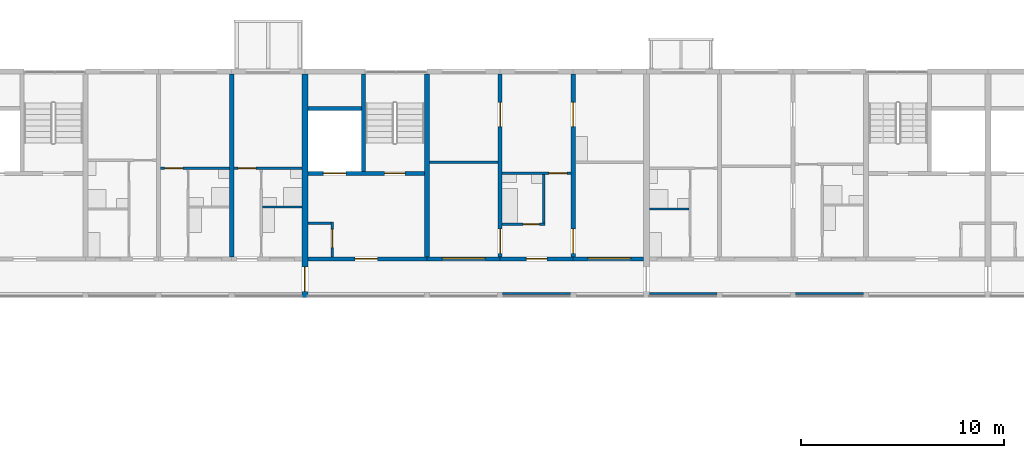
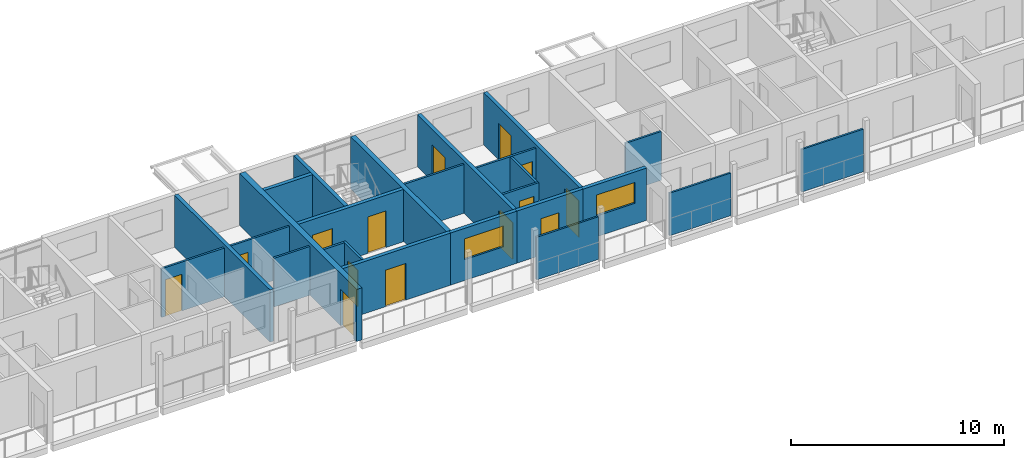
# One storey, part 37 of 100: 25 walls, 14 doors, 2 windows, 16 openings.
"""IFC4 building model written with IfcOpenShell, lengths in metres."""

from ifc_helpers import new_model, si_unit, direction, frame, frame_2d, origin, place, context, subcontext, project, spatial, rectangle, extrude, material, layer, layer_set, type_object, element, fill, save


model = new_model("IFC4")

# Units and contexts
model_context = context("Model", 3, precision=1e-05, world=origin(), true_north=direction((0.0, 1.0)))
body_context = subcontext(model_context, "Body", "Model", "MODEL_VIEW")
ifc_project = project(units=[si_unit("LENGTHUNIT", "METRE"), si_unit("AREAUNIT", "SQUARE_METRE"), si_unit("VOLUMEUNIT", "CUBIC_METRE"), si_unit("PLANEANGLEUNIT", "RADIAN"), si_unit("MASSUNIT", "GRAM", prefix="KILO")], contexts=[model_context])

# Site, building, storey
site_placement = place(None, origin())
site = spatial("IfcSite", under=ifc_project, at=site_placement, CompositionType="ELEMENT")
building_placement = place(site_placement, origin())
building = spatial("IfcBuilding", under=site, at=building_placement, Name="Ridgestep Commons", CompositionType="ELEMENT")
storey_placement = place(building_placement, frame((0.0, 0.0, 9.0)))
storey = spatial("IfcBuildingStorey", under=building, at=storey_placement, Name="L03", CompositionType="ELEMENT", Elevation=9.0)

# Wall
ifc_material_1 = material(Name="Concrete C30/37", Category="concrete")
ifc_layer_1 = layer(ifc_material_1, 0.25)
ifc_layer_set_1 = layer_set([ifc_layer_1], Name="Core cross wall 250")
wall_type_1 = type_object("IfcWallType", Name="Core cross wall 250", PredefinedType="SHEAR", material=ifc_layer_set_1)
wall_1_placement = place(storey_placement, frame((51.60009765625, 68.0, 0.0), z_axis=(0.0, 0.0, 1.0), x_axis=(0.0, 1.0, 0.0)))
element("IfcWall", 1, at=wall_1_placement, inside=storey, type_object=wall_type_1, Name="Cross wall B-03-0516", PredefinedType="SHEAR", context=body_context, shape_type="SweptSolid", body=[
    extrude(rectangle(XDim=9.0, YDim=0.25, at=frame_2d((4.5, 0.0))), origin(), (0.0, 0.0, 1.0), 3.0),
])

# Wall, opening, door
ifc_material_2 = material(Name="Concrete C30/37", Category="concrete")
ifc_layer_2 = layer(ifc_material_2, 0.199951171875)
ifc_layer_set_2 = layer_set([ifc_layer_2], Name="Core south wall 200")
wall_type_2 = type_object("IfcWallType", Name="Core south wall 200", PredefinedType="SHEAR", material=ifc_layer_set_2)
wall_2_placement = place(storey_placement, frame((45.75, 67.89990234375, 0.0), z_axis=(0.0, 0.0, 1.0), x_axis=(1.0, 0.0, 0.0)))
wall_2 = element("IfcWall", 2, at=wall_2_placement, inside=storey, type_object=wall_type_2, Name="Core south wall B3C L03", PredefinedType="SHEAR", context=body_context, shape_type="SweptSolid", body=[
    extrude(rectangle(XDim=5.85009765625, YDim=0.199951171875, at=frame_2d((2.925048828125, 0.0))), origin(), (0.0, 0.0, 1.0), 3.0),
])
opening_1_placement = place(wall_2_placement, frame((2.3125, 0.0, 0.0)))
opening_1 = element("IfcOpeningElement", 3, at=opening_1_placement, cuts=wall_2, Name="Opening B3C/03/1", PredefinedType="OPENING", context=body_context, shape_type="SweptSolid", body=[
    extrude(rectangle(XDim=1.10009765625, YDim=2.10009765625, at=frame_2d((0.550048828125, 1.050048828125))), frame((0.0, 0.10986328125, 0.0), z_axis=(0.0, -1.0, 0.0), x_axis=(1.0, 0.0, 0.0)), (0.0, 0.0, 1.0), 0.219970703125),
])
ifc_material_3 = material(Name="Steel fire door", Category="steel")
door_type_1 = type_object("IfcDoorType", Name="Lobby door 1100 x 2100 FD60", OperationType="NOTDEFINED", PredefinedType="DOOR", material=ifc_material_3)
door_1_placement = place(opening_1_placement, origin())
door_1 = element("IfcDoor", 4, at=door_1_placement, inside=storey, type_object=door_type_1, Name="Lobby door B3C/03/1", OperationType="SINGLE_SWING_LEFT", OverallHeight=2.10009765625, OverallWidth=1.10009765625, PredefinedType="DOOR", context=body_context, shape_type="SweptSolid", body=[
    extrude(rectangle(XDim=1.10009765625, YDim=2.10009765625, at=frame_2d((0.550048828125, 1.050048828125))), frame((0.0, 0.02490234375, 0.0), z_axis=(0.0, -1.0, 0.0), x_axis=(1.0, 0.0, 0.0)), (0.0, 0.0, 1.0), 0.050048828125),
])
fill(opening_1, door_1)

ifc_material_4 = material(Name="Concrete C30/37", Category="concrete")
ifc_layer_3 = layer(ifc_material_4, 0.1201171875)
ifc_layer_set_3 = layer_set([ifc_layer_3], Name="Core wall 120")
wall_type_3 = type_object("IfcWallType", Name="Core wall 120", PredefinedType="SHEAR", material=ifc_layer_set_3)
wall_3_placement = place(storey_placement, frame((46.93994140625, 68.0, 0.0), z_axis=(0.0, 0.0, 1.0), x_axis=(0.0, 1.0, 0.0)))
wall_3 = element("IfcWall", 5, at=wall_3_placement, inside=storey, type_object=wall_type_3, Name="Core riser w wall B3C L03", PredefinedType="SHEAR", context=body_context, shape_type="SweptSolid", body=[
    extrude(rectangle(XDim=1.719970703125, YDim=0.1201171875, at=frame_2d((0.85986328125, 0.0))), origin(), (0.0, 0.0, 1.0), 3.0),
])
opening_2_placement = place(wall_3_placement, frame((0.449951171875, 0.0, 0.0)))
opening_2 = element("IfcOpeningElement", 6, at=opening_2_placement, cuts=wall_3, Name="Opening B3C/03/4", PredefinedType="OPENING", context=body_context, shape_type="SweptSolid", body=[
    extrude(rectangle(XDim=0.89990234375, YDim=2.10009765625, at=frame_2d((0.449951171875, 1.050048828125))), frame((0.0, 0.070068359375, 0.0), z_axis=(0.0, -1.0, 0.0), x_axis=(1.0, 0.0, 0.0)), (0.0, 0.0, 1.0), 0.14013671875),
])
ifc_material_5 = material(Name="Steel fire door", Category="steel")
door_type_2 = type_object("IfcDoorType", Name="Riser door 900 x 2100 FD60", OperationType="NOTDEFINED", PredefinedType="DOOR", material=ifc_material_5)
door_2_placement = place(opening_2_placement, origin())
door_2 = element("IfcDoor", 7, at=door_2_placement, inside=storey, type_object=door_type_2, Name="Riser door B3C/03/4", OperationType="SINGLE_SWING_RIGHT", OverallHeight=2.10009765625, OverallWidth=0.89990234375, PredefinedType="DOOR", context=body_context, shape_type="SweptSolid", body=[
    extrude(rectangle(XDim=0.89990234375, YDim=2.10009765625, at=frame_2d((0.449951171875, 1.050048828125))), frame((0.0, 0.02490234375, 0.0), z_axis=(0.0, -1.0, 0.0), x_axis=(1.0, 0.0, 0.0)), (0.0, 0.0, 1.0), 0.050048828125),
])
fill(opening_2, door_2)

# Wall
wall_4_placement = place(storey_placement, frame((45.75, 69.659912109375, 0.0), z_axis=(0.0, 0.0, 1.0), x_axis=(1.0, 0.0, 0.0)))
element("IfcWall", 8, at=wall_4_placement, inside=storey, type_object=wall_type_3, Name="Core riser n wall B3C L03", PredefinedType="SHEAR", context=body_context, shape_type="SweptSolid", body=[
    extrude(rectangle(XDim=1.1298828125, YDim=0.1201171875, at=frame_2d((0.56494140625, 0.0))), origin(), (0.0, 0.0, 1.0), 3.0),
])

# Wall, openings, doors
ifc_material_6 = material(Name="Concrete C30/37", Category="concrete")
ifc_layer_4 = layer(ifc_material_6, 0.199951171875)
ifc_layer_set_4 = layer_set([ifc_layer_4], Name="Core wall 200")
wall_type_4 = type_object("IfcWallType", Name="Core wall 200", PredefinedType="SHEAR", material=ifc_layer_set_4)
wall_5_placement = place(storey_placement, frame((45.75, 72.10009765625, 0.0), z_axis=(0.0, 0.0, 1.0), x_axis=(1.0, 0.0, 0.0)))
wall_5 = element("IfcWall", 9, at=wall_5_placement, inside=storey, type_object=wall_type_4, Name="Core lobby wall B3C L03", PredefinedType="SHEAR", context=body_context, shape_type="SweptSolid", body=[
    extrude(rectangle(XDim=5.72509765625, YDim=0.199951171875, at=frame_2d((2.862548828125, 0.0))), origin(), (0.0, 0.0, 1.0), 3.0),
])
opening_3_placement = place(wall_5_placement, frame((3.77490234375, 0.0, 0.0)))
opening_3 = element("IfcOpeningElement", 10, at=opening_3_placement, cuts=wall_5, Name="Opening B3C/03/2", PredefinedType="OPENING", context=body_context, shape_type="SweptSolid", body=[
    extrude(rectangle(XDim=1.0, YDim=2.10009765625, at=frame_2d((0.5, 1.050048828125))), frame((0.0, 0.10986328125, 0.0), z_axis=(0.0, -1.0, 0.0), x_axis=(1.0, 0.0, 0.0)), (0.0, 0.0, 1.0), 0.219970703125),
])
opening_4_placement = place(wall_5_placement, frame((0.762451171875, 0.0, 0.0)))
opening_4 = element("IfcOpeningElement", 11, at=opening_4_placement, cuts=wall_5, Name="Opening B3C/03/3", PredefinedType="OPENING", context=body_context, shape_type="SweptSolid", body=[
    extrude(rectangle(XDim=1.10009765625, YDim=2.10009765625, at=frame_2d((0.550048828125, 1.050048828125))), frame((0.0, 0.10986328125, 0.0), z_axis=(0.0, -1.0, 0.0), x_axis=(1.0, 0.0, 0.0)), (0.0, 0.0, 1.0), 0.219970703125),
])
ifc_material_7 = material(Name="Stainless steel", Category="steel")
door_type_3 = type_object("IfcDoorType", Name="Lift landing door 1100 x 2100 FD60", OperationType="DOUBLE_DOOR_SLIDING", PredefinedType="DOOR", material=ifc_material_7)
door_3_placement = place(opening_4_placement, origin())
door_3 = element("IfcDoor", 12, at=door_3_placement, inside=storey, type_object=door_type_3, Name="Landing door LD B3C L03", OperationType="DOUBLE_DOOR_SLIDING", OverallHeight=2.10009765625, OverallWidth=1.10009765625, PredefinedType="DOOR", context=body_context, shape_type="SweptSolid", body=[
    extrude(rectangle(XDim=1.10009765625, YDim=2.10009765625, at=frame_2d((0.550048828125, 1.050048828125))), frame((0.0, 0.02490234375, 0.0), z_axis=(0.0, -1.0, 0.0), x_axis=(1.0, 0.0, 0.0)), (0.0, 0.0, 1.0), 0.050048828125),
])
fill(opening_4, door_3)
ifc_material_8 = material(Name="Steel fire door", Category="steel")
door_type_4 = type_object("IfcDoorType", Name="Stair door 1000 x 2100 FD60", OperationType="NOTDEFINED", PredefinedType="DOOR", material=ifc_material_8)
door_4_placement = place(opening_3_placement, origin())
door_4 = element("IfcDoor", 13, at=door_4_placement, inside=storey, type_object=door_type_4, Name="Stair door B3C/03/2", OperationType="SINGLE_SWING_RIGHT", OverallHeight=2.10009765625, OverallWidth=1.0, PredefinedType="DOOR", context=body_context, shape_type="SweptSolid", body=[
    extrude(rectangle(XDim=1.0, YDim=2.10009765625, at=frame_2d((0.5, 1.050048828125))), frame((0.0, 0.02490234375, 0.0), z_axis=(0.0, -1.0, 0.0), x_axis=(1.0, 0.0, 0.0)), (0.0, 0.0, 1.0), 0.050048828125),
])
fill(opening_3, door_4)

# Walls
wall_6_placement = place(storey_placement, frame((48.47509765625, 72.199951171875, 0.0), z_axis=(0.0, 0.0, 1.0), x_axis=(0.0, 1.0, 0.0)))
element("IfcWall", 14, at=wall_6_placement, inside=storey, type_object=wall_type_4, Name="Core stair wall B3C L03", PredefinedType="SHEAR", context=body_context, shape_type="SweptSolid", body=[
    extrude(rectangle(XDim=4.800048828125, YDim=0.199951171875, at=frame_2d((2.39990234375, 0.0))), origin(), (0.0, 0.0, 1.0), 3.0),
])
wall_7_placement = place(storey_placement, frame((45.75, 75.300048828125, 0.0), z_axis=(0.0, 0.0, 1.0), x_axis=(1.0, 0.0, 0.0)))
element("IfcWall", 15, at=wall_7_placement, inside=storey, type_object=wall_type_4, Name="Core duct wall B3C L03", PredefinedType="SHEAR", context=body_context, shape_type="SweptSolid", body=[
    extrude(rectangle(XDim=2.625, YDim=0.199951171875, at=frame_2d((1.3125, 0.0))), origin(), (0.0, 0.0, 1.0), 3.0),
])
ifc_material_9 = material(Name="Precast concrete C40/50", Category="concrete")
ifc_layer_5 = layer(ifc_material_9, 0.199951171875)
ifc_layer_set_5 = layer_set([ifc_layer_5], Name="Cross wall 200")
wall_type_5 = type_object("IfcWallType", Name="Cross wall 200", PredefinedType="SHEAR", material=ifc_layer_set_5)
wall_8_placement = place(storey_placement, frame((42.0, 68.0, 0.0), z_axis=(0.0, 0.0, 1.0), x_axis=(0.0, 1.0, 0.0)))
element("IfcWall", 16, at=wall_8_placement, inside=storey, type_object=wall_type_5, Name="Cross wall B-03-0420", PredefinedType="SHEAR", context=body_context, shape_type="SweptSolid", body=[
    extrude(rectangle(XDim=9.0, YDim=0.199951171875, at=frame_2d((4.5, 0.0))), origin(), (0.0, 0.0, 1.0), 3.0),
])

# Wall, openings, doors
wall_9_placement = place(storey_placement, frame((55.199951171875, 68.0, 0.0), z_axis=(0.0, 0.0, 1.0), x_axis=(0.0, 1.0, 0.0)))
wall_9 = element("IfcWall", 17, at=wall_9_placement, inside=storey, type_object=wall_type_5, Name="Cross wall B-03-0552", PredefinedType="SHEAR", context=body_context, shape_type="SweptSolid", body=[
    extrude(rectangle(XDim=9.0, YDim=0.199951171875, at=frame_2d((4.5, 0.0))), origin(), (0.0, 0.0, 1.0), 3.0),
])
opening_5_placement = place(wall_9_placement, frame((0.175048828125, 0.0, 0.0)))
opening_5 = element("IfcOpeningElement", 18, at=opening_5_placement, cuts=wall_9, Name="Opening B3-03a/4", PredefinedType="OPENING", context=body_context, shape_type="SweptSolid", body=[
    extrude(rectangle(XDim=1.199951171875, YDim=2.10009765625, at=frame_2d((0.60009765625, 1.050048828125))), frame((0.0, 0.10986328125, 0.0), z_axis=(0.0, -1.0, 0.0), x_axis=(1.0, 0.0, 0.0)), (0.0, 0.0, 1.0), 0.219970703125),
])
opening_6_placement = place(wall_9_placement, frame((6.39990234375, 0.0, 0.0)))
opening_6 = element("IfcOpeningElement", 19, at=opening_6_placement, cuts=wall_9, Name="Opening B3-03a/5", PredefinedType="OPENING", context=body_context, shape_type="SweptSolid", body=[
    extrude(rectangle(XDim=1.199951171875, YDim=2.10009765625, at=frame_2d((0.60009765625, 1.050048828125))), frame((0.0, 0.10986328125, 0.0), z_axis=(0.0, -1.0, 0.0), x_axis=(1.0, 0.0, 0.0)), (0.0, 0.0, 1.0), 0.219970703125),
])
ifc_material_10 = material(Name="Timber door leaf", Category="wood")
door_type_5 = type_object("IfcDoorType", Name="Double door 1200 x 2100", OperationType="DOUBLE_DOOR_SINGLE_SWING", PredefinedType="DOOR", material=ifc_material_10)
door_5_placement = place(opening_5_placement, origin())
door_5 = element("IfcDoor", 20, at=door_5_placement, inside=storey, type_object=door_type_5, Name="Double door B3-03a/4", OperationType="DOUBLE_DOOR_SINGLE_SWING", OverallHeight=2.10009765625, OverallWidth=1.199951171875, PredefinedType="DOOR", context=body_context, shape_type="SweptSolid", body=[
    extrude(rectangle(XDim=1.199951171875, YDim=2.10009765625, at=frame_2d((0.60009765625, 1.050048828125))), frame((0.0, 0.02490234375, 0.0), z_axis=(0.0, -1.0, 0.0), x_axis=(1.0, 0.0, 0.0)), (0.0, 0.0, 1.0), 0.050048828125),
])
fill(opening_5, door_5)
door_6_placement = place(opening_6_placement, origin())
door_6 = element("IfcDoor", 21, at=door_6_placement, inside=storey, type_object=door_type_5, Name="Double door B3-03a/5", OperationType="DOUBLE_DOOR_SINGLE_SWING", OverallHeight=2.10009765625, OverallWidth=1.199951171875, PredefinedType="DOOR", context=body_context, shape_type="SweptSolid", body=[
    extrude(rectangle(XDim=1.199951171875, YDim=2.10009765625, at=frame_2d((0.60009765625, 1.050048828125))), frame((0.0, 0.02490234375, 0.0), z_axis=(0.0, -1.0, 0.0), x_axis=(1.0, 0.0, 0.0)), (0.0, 0.0, 1.0), 0.050048828125),
])
fill(opening_6, door_6)

wall_10_placement = place(storey_placement, frame((58.800048828125, 68.0, 0.0), z_axis=(0.0, 0.0, 1.0), x_axis=(0.0, 1.0, 0.0)))
wall_10 = element("IfcWall", 22, at=wall_10_placement, inside=storey, type_object=wall_type_5, Name="Cross wall B-03-0588", PredefinedType="SHEAR", context=body_context, shape_type="SweptSolid", body=[
    extrude(rectangle(XDim=9.0, YDim=0.199951171875, at=frame_2d((4.5, 0.0))), origin(), (0.0, 0.0, 1.0), 3.0),
])
opening_7_placement = place(wall_10_placement, frame((0.175048828125, 0.0, 0.0)))
opening_7 = element("IfcOpeningElement", 23, at=opening_7_placement, cuts=wall_10, Name="Opening B3-03a/6", PredefinedType="OPENING", context=body_context, shape_type="SweptSolid", body=[
    extrude(rectangle(XDim=1.199951171875, YDim=2.10009765625, at=frame_2d((0.60009765625, 1.050048828125))), frame((0.0, 0.10986328125, 0.0), z_axis=(0.0, -1.0, 0.0), x_axis=(1.0, 0.0, 0.0)), (0.0, 0.0, 1.0), 0.219970703125),
])
opening_8_placement = place(wall_10_placement, frame((6.39990234375, 0.0, 0.0)))
opening_8 = element("IfcOpeningElement", 24, at=opening_8_placement, cuts=wall_10, Name="Opening B3-03a/7", PredefinedType="OPENING", context=body_context, shape_type="SweptSolid", body=[
    extrude(rectangle(XDim=1.199951171875, YDim=2.10009765625, at=frame_2d((0.60009765625, 1.050048828125))), frame((0.0, 0.10986328125, 0.0), z_axis=(0.0, -1.0, 0.0), x_axis=(1.0, 0.0, 0.0)), (0.0, 0.0, 1.0), 0.219970703125),
])
door_7_placement = place(opening_7_placement, origin())
door_7 = element("IfcDoor", 25, at=door_7_placement, inside=storey, type_object=door_type_5, Name="Double door B3-03a/6", OperationType="DOUBLE_DOOR_SINGLE_SWING", OverallHeight=2.10009765625, OverallWidth=1.199951171875, PredefinedType="DOOR", context=body_context, shape_type="SweptSolid", body=[
    extrude(rectangle(XDim=1.199951171875, YDim=2.10009765625, at=frame_2d((0.60009765625, 1.050048828125))), frame((0.0, 0.02490234375, 0.0), z_axis=(0.0, -1.0, 0.0), x_axis=(1.0, 0.0, 0.0)), (0.0, 0.0, 1.0), 0.050048828125),
])
fill(opening_7, door_7)
door_8_placement = place(opening_8_placement, origin())
door_8 = element("IfcDoor", 26, at=door_8_placement, inside=storey, type_object=door_type_5, Name="Double door B3-03a/7", OperationType="DOUBLE_DOOR_SINGLE_SWING", OverallHeight=2.10009765625, OverallWidth=1.199951171875, PredefinedType="DOOR", context=body_context, shape_type="SweptSolid", body=[
    extrude(rectangle(XDim=1.199951171875, YDim=2.10009765625, at=frame_2d((0.60009765625, 1.050048828125))), frame((0.0, 0.02490234375, 0.0), z_axis=(0.0, -1.0, 0.0), x_axis=(1.0, 0.0, 0.0)), (0.0, 0.0, 1.0), 0.050048828125),
])
fill(opening_8, door_8)

# Wall, opening, door
ifc_material_11 = material(Name="Precast concrete C40/50", Category="concrete")
ifc_layer_6 = layer(ifc_material_11, 0.300048828125)
ifc_layer_set_6 = layer_set([ifc_layer_6], Name="Division wall 300")
wall_type_6 = type_object("IfcWallType", Name="Division wall 300", PredefinedType="SHEAR", material=ifc_layer_set_6)
wall_11_placement = place(storey_placement, frame((45.60009765625, 66.0, 0.0), z_axis=(0.0, 0.0, 1.0), x_axis=(0.0, 1.0, 0.0)))
wall_11 = element("IfcWall", 27, at=wall_11_placement, inside=storey, type_object=wall_type_6, Name="Cross wall B-03-0456", PredefinedType="SHEAR", context=body_context, shape_type="SweptSolid", body=[
    extrude(rectangle(XDim=11.0, YDim=0.300048828125, at=frame_2d((5.5, 0.0))), origin(), (0.0, 0.0, 1.0), 3.0),
])
opening_9_placement = place(wall_11_placement, frame((0.300048828125, 0.0, 0.0)))
opening_9 = element("IfcOpeningElement", 28, at=opening_9_placement, cuts=wall_11, Name="Opening B/03/G0456", PredefinedType="OPENING", context=body_context, shape_type="SweptSolid", body=[
    extrude(rectangle(XDim=1.199951171875, YDim=2.10009765625, at=frame_2d((0.60009765625, 1.050048828125))), frame((0.0, 0.159912109375, 0.0), z_axis=(0.0, -1.0, 0.0), x_axis=(1.0, 0.0, 0.0)), (0.0, 0.0, 1.0), 0.320068359375),
])
ifc_material_12 = material(Name="Steel fire door", Category="steel")
door_type_6 = type_object("IfcDoorType", Name="Division fire door 1200 x 2100 EI 240", OperationType="DOUBLE_DOOR_SINGLE_SWING", PredefinedType="DOOR", material=ifc_material_12)
door_9_placement = place(opening_9_placement, origin())
door_9 = element("IfcDoor", 29, at=door_9_placement, inside=storey, type_object=door_type_6, Name="Division fire door B/03/G0456", OperationType="DOUBLE_DOOR_SINGLE_SWING", OverallHeight=2.10009765625, OverallWidth=1.199951171875, PredefinedType="DOOR", context=body_context, shape_type="SweptSolid", body=[
    extrude(rectangle(XDim=1.199951171875, YDim=2.10009765625, at=frame_2d((0.60009765625, 1.050048828125))), frame((0.0, 0.02490234375, 0.0), z_axis=(0.0, -1.0, 0.0), x_axis=(1.0, 0.0, 0.0)), (0.0, 0.0, 1.0), 0.050048828125),
])
fill(opening_9, door_9)

# Wall
ifc_material_13 = material(Name="Common brick 110 mm", Category="masonry")
ifc_layer_7 = layer(ifc_material_13, 0.110107421875)
ifc_layer_set_7 = layer_set([ifc_layer_7], Name="Partition 110")
wall_type_7 = type_object("IfcWallType", Name="Partition 110", PredefinedType="PARTITIONING", material=ifc_layer_set_7)
wall_12_placement = place(storey_placement, frame((43.510009765625, 70.455078125, 0.0), z_axis=(0.0, 0.0, 1.0), x_axis=(1.0, 0.0, 0.0)))
element("IfcWall", 30, at=wall_12_placement, inside=storey, type_object=wall_type_7, Name="Partition B2-03a", PredefinedType="PARTITIONING", context=body_context, shape_type="SweptSolid", body=[
    extrude(rectangle(XDim=1.93994140625, YDim=0.110107421875, at=frame_2d((0.969970703125, 0.0))), origin(), (0.0, 0.0, 1.0), 2.800048828125),
])

# Wall, opening, door
wall_13_placement = place(storey_placement, frame((42.10009765625, 72.35498046875, 0.0), z_axis=(0.0, 0.0, 1.0), x_axis=(1.0, 0.0, 0.0)))
wall_13 = element("IfcWall", 31, at=wall_13_placement, inside=storey, type_object=wall_type_7, Name="Partition B2-03a", PredefinedType="PARTITIONING", context=body_context, shape_type="SweptSolid", body=[
    extrude(rectangle(XDim=3.349853515625, YDim=0.110107421875, at=frame_2d((1.6748046875, 0.0))), origin(), (0.0, 0.0, 1.0), 2.800048828125),
])
opening_10_placement = place(wall_13_placement, frame((0.199951171875, 0.0, 0.0)))
opening_10 = element("IfcOpeningElement", 32, at=opening_10_placement, cuts=wall_13, Name="Opening B2-03a/4", PredefinedType="OPENING", context=body_context, shape_type="SweptSolid", body=[
    extrude(rectangle(XDim=0.89990234375, YDim=2.10009765625, at=frame_2d((0.449951171875, 1.050048828125))), frame((0.0, 0.06494140625, 0.0), z_axis=(0.0, -1.0, 0.0), x_axis=(1.0, 0.0, 0.0)), (0.0, 0.0, 1.0), 0.130126953125),
])
ifc_material_14 = material(Name="Timber door leaf", Category="wood")
door_type_7 = type_object("IfcDoorType", Name="Internal door 900 x 2100", OperationType="NOTDEFINED", PredefinedType="DOOR", material=ifc_material_14)
door_10_placement = place(opening_10_placement, origin())
door_10 = element("IfcDoor", 33, at=door_10_placement, inside=storey, type_object=door_type_7, Name="Internal door B2-03a/4", OperationType="SINGLE_SWING_LEFT", OverallHeight=2.10009765625, OverallWidth=0.89990234375, PredefinedType="DOOR", context=body_context, shape_type="SweptSolid", body=[
    extrude(rectangle(XDim=0.89990234375, YDim=2.10009765625, at=frame_2d((0.449951171875, 1.050048828125))), frame((0.0, 0.02490234375, 0.0), z_axis=(0.0, -1.0, 0.0), x_axis=(1.0, 0.0, 0.0)), (0.0, 0.0, 1.0), 0.050048828125),
])
fill(opening_10, door_10)

wall_14_placement = place(storey_placement, frame((38.5, 72.35498046875, 0.0), z_axis=(0.0, 0.0, 1.0), x_axis=(1.0, 0.0, 0.0)))
wall_14 = element("IfcWall", 34, at=wall_14_placement, inside=storey, type_object=wall_type_7, Name="Partition B2-03b", PredefinedType="PARTITIONING", context=body_context, shape_type="SweptSolid", body=[
    extrude(rectangle(XDim=3.39990234375, YDim=0.110107421875, at=frame_2d((1.699951171875, 0.0))), origin(), (0.0, 0.0, 1.0), 2.800048828125),
])
opening_11_placement = place(wall_14_placement, frame((0.199951171875, 0.0, 0.0)))
opening_11 = element("IfcOpeningElement", 35, at=opening_11_placement, cuts=wall_14, Name="Opening B2-03b/4", PredefinedType="OPENING", context=body_context, shape_type="SweptSolid", body=[
    extrude(rectangle(XDim=0.89990234375, YDim=2.10009765625, at=frame_2d((0.449951171875, 1.050048828125))), frame((0.0, 0.06494140625, 0.0), z_axis=(0.0, -1.0, 0.0), x_axis=(1.0, 0.0, 0.0)), (0.0, 0.0, 1.0), 0.130126953125),
])
door_11_placement = place(opening_11_placement, origin())
door_11 = element("IfcDoor", 36, at=door_11_placement, inside=storey, type_object=door_type_7, Name="Internal door B2-03b/4", OperationType="SINGLE_SWING_LEFT", OverallHeight=2.10009765625, OverallWidth=0.89990234375, PredefinedType="DOOR", context=body_context, shape_type="SweptSolid", body=[
    extrude(rectangle(XDim=0.89990234375, YDim=2.10009765625, at=frame_2d((0.449951171875, 1.050048828125))), frame((0.0, 0.02490234375, 0.0), z_axis=(0.0, -1.0, 0.0), x_axis=(1.0, 0.0, 0.0)), (0.0, 0.0, 1.0), 0.050048828125),
])
fill(opening_11, door_11)

wall_15_placement = place(storey_placement, frame((55.300048828125, 69.60498046875, 0.0), z_axis=(0.0, 0.0, 1.0), x_axis=(1.0, 0.0, 0.0)))
wall_15 = element("IfcWall", 37, at=wall_15_placement, inside=storey, type_object=wall_type_7, Name="Partition B3-03a", PredefinedType="PARTITIONING", context=body_context, shape_type="SweptSolid", body=[
    extrude(rectangle(XDim=2.099853515625, YDim=0.110107421875, at=frame_2d((1.0498046875, 0.0))), origin(), (0.0, 0.0, 1.0), 2.800048828125),
])
opening_12_placement = place(wall_15_placement, frame((1.0400390625, 0.0, 0.0)))
opening_12 = element("IfcOpeningElement", 38, at=opening_12_placement, cuts=wall_15, Name="Opening B3-03a/2", PredefinedType="OPENING", context=body_context, shape_type="SweptSolid", body=[
    extrude(rectangle(XDim=0.800048828125, YDim=2.10009765625, at=frame_2d((0.39990234375, 1.050048828125))), frame((0.0, 0.06494140625, 0.0), z_axis=(0.0, -1.0, 0.0), x_axis=(1.0, 0.0, 0.0)), (0.0, 0.0, 1.0), 0.130126953125),
])
ifc_material_15 = material(Name="Timber door leaf", Category="wood")
door_type_8 = type_object("IfcDoorType", Name="Internal door 800 x 2100", OperationType="NOTDEFINED", PredefinedType="DOOR", material=ifc_material_15)
door_12_placement = place(opening_12_placement, origin())
door_12 = element("IfcDoor", 39, at=door_12_placement, inside=storey, type_object=door_type_8, Name="Internal door B3-03a/2", OperationType="SINGLE_SWING_RIGHT", OverallHeight=2.10009765625, OverallWidth=0.800048828125, PredefinedType="DOOR", context=body_context, shape_type="SweptSolid", body=[
    extrude(rectangle(XDim=0.800048828125, YDim=2.10009765625, at=frame_2d((0.39990234375, 1.050048828125))), frame((0.0, 0.02490234375, 0.0), z_axis=(0.0, -1.0, 0.0), x_axis=(1.0, 0.0, 0.0)), (0.0, 0.0, 1.0), 0.050048828125),
])
fill(opening_12, door_12)

# Wall
wall_16_placement = place(storey_placement, frame((57.344970703125, 69.659912109375, 0.0), z_axis=(0.0, 0.0, 1.0), x_axis=(0.0, 1.0, 0.0)))
element("IfcWall", 40, at=wall_16_placement, inside=storey, type_object=wall_type_7, Name="Partition B3-03a", PredefinedType="PARTITIONING", context=body_context, shape_type="SweptSolid", body=[
    extrude(rectangle(XDim=2.400146484375, YDim=0.110107421875, at=frame_2d((1.2001953125, 0.0))), origin(), (0.0, 0.0, 1.0), 2.800048828125),
])

# Wall, opening, door
wall_17_placement = place(storey_placement, frame((55.300048828125, 72.114990234375, 0.0), z_axis=(0.0, 0.0, 1.0), x_axis=(1.0, 0.0, 0.0)))
wall_17 = element("IfcWall", 41, at=wall_17_placement, inside=storey, type_object=wall_type_7, Name="Partition B3-03a", PredefinedType="PARTITIONING", context=body_context, shape_type="SweptSolid", body=[
    extrude(rectangle(XDim=3.39990234375, YDim=0.110107421875, at=frame_2d((1.699951171875, 0.0))), origin(), (0.0, 0.0, 1.0), 2.800048828125),
])
opening_13_placement = place(wall_17_placement, frame((2.300048828125, 0.0, 0.0)))
opening_13 = element("IfcOpeningElement", 42, at=opening_13_placement, cuts=wall_17, Name="Opening B3-03a/3", PredefinedType="OPENING", context=body_context, shape_type="SweptSolid", body=[
    extrude(rectangle(XDim=0.89990234375, YDim=2.10009765625, at=frame_2d((0.449951171875, 1.050048828125))), frame((0.0, 0.06494140625, 0.0), z_axis=(0.0, -1.0, 0.0), x_axis=(1.0, 0.0, 0.0)), (0.0, 0.0, 1.0), 0.130126953125),
])
door_13_placement = place(opening_13_placement, origin())
door_13 = element("IfcDoor", 43, at=door_13_placement, inside=storey, type_object=door_type_7, Name="Internal door B3-03a/3", OperationType="SINGLE_SWING_LEFT", OverallHeight=2.10009765625, OverallWidth=0.89990234375, PredefinedType="DOOR", context=body_context, shape_type="SweptSolid", body=[
    extrude(rectangle(XDim=0.89990234375, YDim=2.10009765625, at=frame_2d((0.449951171875, 1.050048828125))), frame((0.0, 0.02490234375, 0.0), z_axis=(0.0, -1.0, 0.0), x_axis=(1.0, 0.0, 0.0)), (0.0, 0.0, 1.0), 0.050048828125),
])
fill(opening_13, door_13)

# Walls
wall_18_placement = place(storey_placement, frame((51.72509765625, 72.655029296875, 0.0), z_axis=(0.0, 0.0, 1.0), x_axis=(1.0, 0.0, 0.0)))
element("IfcWall", 44, at=wall_18_placement, inside=storey, type_object=wall_type_7, Name="Partition B3-03a", PredefinedType="PARTITIONING", context=body_context, shape_type="SweptSolid", body=[
    extrude(rectangle(XDim=3.375, YDim=0.110107421875, at=frame_2d((1.6875, 0.0))), origin(), (0.0, 0.0, 1.0), 2.800048828125),
])
wall_19_placement = place(storey_placement, frame((62.550048828125, 70.35498046875, 0.0), z_axis=(0.0, 0.0, 1.0), x_axis=(1.0, 0.0, 0.0)))
element("IfcWall", 45, at=wall_19_placement, inside=storey, type_object=wall_type_7, Name="Partition B4-03a", PredefinedType="PARTITIONING", context=body_context, shape_type="SweptSolid", body=[
    extrude(rectangle(XDim=1.93994140625, YDim=0.110107421875, at=frame_2d((0.969970703125, 0.0))), origin(), (0.0, 0.0, 1.0), 2.800048828125),
])
ifc_material_16 = material(Name="Precast concrete C30/37", Category="concrete")
ifc_layer_8 = layer(ifc_material_16, 0.10009765625)
ifc_layer_set_8 = layer_set([ifc_layer_8], Name="Perforated gallery screen 3325 x 2450 x 100")
wall_type_8 = type_object("IfcWallType", Name="Perforated gallery screen 3325 x 2450 x 100", PredefinedType="SOLIDWALL", material=ifc_layer_set_8)
wall_20_placement = place(storey_placement, frame((62.550048828125, 66.199951171875, 0.0), z_axis=(0.0, 0.0, 1.0), x_axis=(1.0, 0.0, 0.0)))
element("IfcWall", 46, at=wall_20_placement, inside=storey, type_object=wall_type_8, Name="Gallery screen B4T1 03", PredefinedType="SOLIDWALL", context=body_context, shape_type="SweptSolid", body=[
    extrude(rectangle(XDim=3.324951171875, YDim=0.10009765625, at=frame_2d((1.66259765625, 0.0))), origin(), (0.0, 0.0, 1.0), 2.449951171875),
])
ifc_material_17 = material(Name="Precast concrete C30/37", Category="concrete")
ifc_layer_9 = layer(ifc_material_17, 0.10009765625)
ifc_layer_set_9 = layer_set([ifc_layer_9], Name="Perforated gallery screen 3350 x 2450 x 100")
wall_type_9 = type_object("IfcWallType", Name="Perforated gallery screen 3350 x 2450 x 100", PredefinedType="SOLIDWALL", material=ifc_layer_set_9)
wall_21_placement = place(storey_placement, frame((55.324951171875, 66.199951171875, 0.0), z_axis=(0.0, 0.0, 1.0), x_axis=(1.0, 0.0, 0.0)))
element("IfcWall", 47, at=wall_21_placement, inside=storey, type_object=wall_type_9, Name="Gallery screen B3T2 03", PredefinedType="SOLIDWALL", context=body_context, shape_type="SweptSolid", body=[
    extrude(rectangle(XDim=3.35009765625, YDim=0.10009765625, at=frame_2d((1.675048828125, 0.0))), origin(), (0.0, 0.0, 1.0), 2.449951171875),
])
wall_22_placement = place(storey_placement, frame((69.72509765625, 66.199951171875, 0.0), z_axis=(0.0, 0.0, 1.0), x_axis=(1.0, 0.0, 0.0)))
element("IfcWall", 48, at=wall_22_placement, inside=storey, type_object=wall_type_9, Name="Gallery screen B4T3 03", PredefinedType="SOLIDWALL", context=body_context, shape_type="SweptSolid", body=[
    extrude(rectangle(XDim=3.349853515625, YDim=0.10009765625, at=frame_2d((1.6748046875, 0.0))), origin(), (0.0, 0.0, 1.0), 2.449951171875),
])

# Wall, opening, window
ifc_material_18 = material(Name="Precast concrete C40/50", Category="concrete")
ifc_layer_10 = layer(ifc_material_18, 0.199951171875)
ifc_layer_set_10 = layer_set([ifc_layer_10], Name="South facade panel 200")
wall_type_10 = type_object("IfcWallType", Name="South facade panel 200", PredefinedType="SOLIDWALL", material=ifc_layer_set_10)
wall_23_placement = place(storey_placement, frame((51.60009765625, 67.89990234375, 0.0), z_axis=(0.0, 0.0, 1.0), x_axis=(1.0, 0.0, 0.0)))
wall_23 = element("IfcWall", 49, at=wall_23_placement, inside=storey, type_object=wall_type_10, Name="South panel B3T3 L03", PredefinedType="SOLIDWALL", context=body_context, shape_type="SweptSolid", body=[
    extrude(rectangle(XDim=3.599853515625, YDim=0.199951171875, at=frame_2d((1.7998046875, 0.0))), origin(), (0.0, 0.0, 1.0), 3.0),
])
opening_14_placement = place(wall_23_placement, frame((0.762451171875, 0.0, 1.199951171875)))
opening_14 = element("IfcOpeningElement", 50, at=opening_14_placement, cuts=wall_23, Name="Opening W22", PredefinedType="OPENING", context=body_context, shape_type="SweptSolid", body=[
    extrude(rectangle(XDim=2.10009765625, YDim=1.199951171875, at=frame_2d((1.050048828125, 0.60009765625))), frame((0.0, 0.10986328125, 0.0), z_axis=(0.0, -1.0, 0.0), x_axis=(1.0, 0.0, 0.0)), (0.0, 0.0, 1.0), 0.219970703125),
])
ifc_material_19 = material(Name="Aluminium 6063-T6 and glass", Category="aluminium")
window_type = type_object("IfcWindowType", Name="Flat window 2100 x 1200", PartitioningType="DOUBLE_PANEL_VERTICAL", PredefinedType="WINDOW", material=ifc_material_19)
window_1_placement = place(opening_14_placement, origin())
window_1 = element("IfcWindow", 51, at=window_1_placement, inside=storey, type_object=window_type, Name="Window B3-03a 1", OverallHeight=1.199951171875, OverallWidth=2.10009765625, PartitioningType="SINGLE_PANEL", PredefinedType="WINDOW", context=body_context, shape_type="SweptSolid", body=[
    extrude(rectangle(XDim=2.10009765625, YDim=1.199951171875, at=frame_2d((1.050048828125, 0.60009765625))), frame((0.0, 0.06005859375, 0.0), z_axis=(0.0, -1.0, 0.0), x_axis=(1.0, 0.0, 0.0)), (0.0, 0.0, 1.0), 0.06005859375),
])
fill(opening_14, window_1)

# Wall, opening, door
wall_24_placement = place(storey_placement, frame((55.199951171875, 67.89990234375, 0.0), z_axis=(0.0, 0.0, 1.0), x_axis=(1.0, 0.0, 0.0)))
wall_24 = element("IfcWall", 52, at=wall_24_placement, inside=storey, type_object=wall_type_10, Name="South panel B3T2 L03", PredefinedType="SOLIDWALL", context=body_context, shape_type="SweptSolid", body=[
    extrude(rectangle(XDim=3.60009765625, YDim=0.199951171875, at=frame_2d((1.800048828125, 0.0))), origin(), (0.0, 0.0, 1.0), 3.0),
])
opening_15_placement = place(wall_24_placement, frame((1.300048828125, 0.0, 0.0)))
opening_15 = element("IfcOpeningElement", 53, at=opening_15_placement, cuts=wall_24, Name="Opening B3-03a/1", PredefinedType="OPENING", context=body_context, shape_type="SweptSolid", body=[
    extrude(rectangle(XDim=1.0, YDim=2.10009765625, at=frame_2d((0.5, 1.050048828125))), frame((0.0, 0.10986328125, 0.0), z_axis=(0.0, -1.0, 0.0), x_axis=(1.0, 0.0, 0.0)), (0.0, 0.0, 1.0), 0.219970703125),
])
ifc_material_20 = material(Name="Timber door leaf", Category="wood")
door_type_9 = type_object("IfcDoorType", Name="Flat entrance door 1000 x 2100 FD30S", OperationType="NOTDEFINED", PredefinedType="DOOR", material=ifc_material_20)
door_14_placement = place(opening_15_placement, origin())
door_14 = element("IfcDoor", 54, at=door_14_placement, inside=storey, type_object=door_type_9, Name="Flat entrance door B3-03a/1", OperationType="SINGLE_SWING_RIGHT", OverallHeight=2.10009765625, OverallWidth=1.0, PredefinedType="DOOR", context=body_context, shape_type="SweptSolid", body=[
    extrude(rectangle(XDim=1.0, YDim=2.10009765625, at=frame_2d((0.5, 1.050048828125))), frame((0.0, 0.02490234375, 0.0), z_axis=(0.0, -1.0, 0.0), x_axis=(1.0, 0.0, 0.0)), (0.0, 0.0, 1.0), 0.050048828125),
])
fill(opening_15, door_14)

# Wall, opening, window
wall_25_placement = place(storey_placement, frame((58.800048828125, 67.89990234375, 0.0), z_axis=(0.0, 0.0, 1.0), x_axis=(1.0, 0.0, 0.0)))
wall_25 = element("IfcWall", 55, at=wall_25_placement, inside=storey, type_object=wall_type_10, Name="South panel B3T1 L03", PredefinedType="SOLIDWALL", context=body_context, shape_type="SweptSolid", body=[
    extrude(rectangle(XDim=3.449951171875, YDim=0.199951171875, at=frame_2d((1.72509765625, 0.0))), origin(), (0.0, 0.0, 1.0), 3.0),
])
opening_16_placement = place(wall_25_placement, frame((0.72509765625, 0.0, 1.199951171875)))
opening_16 = element("IfcOpeningElement", 56, at=opening_16_placement, cuts=wall_25, Name="Opening W22", PredefinedType="OPENING", context=body_context, shape_type="SweptSolid", body=[
    extrude(rectangle(XDim=2.10009765625, YDim=1.199951171875, at=frame_2d((1.050048828125, 0.60009765625))), frame((0.0, 0.10986328125, 0.0), z_axis=(0.0, -1.0, 0.0), x_axis=(1.0, 0.0, 0.0)), (0.0, 0.0, 1.0), 0.219970703125),
])
window_2_placement = place(opening_16_placement, origin())
window_2 = element("IfcWindow", 57, at=window_2_placement, inside=storey, type_object=window_type, Name="Window B3-03a 3", OverallHeight=1.199951171875, OverallWidth=2.10009765625, PartitioningType="SINGLE_PANEL", PredefinedType="WINDOW", context=body_context, shape_type="SweptSolid", body=[
    extrude(rectangle(XDim=2.10009765625, YDim=1.199951171875, at=frame_2d((1.050048828125, 0.60009765625))), frame((0.0, 0.06005859375, 0.0), z_axis=(0.0, -1.0, 0.0), x_axis=(1.0, 0.0, 0.0)), (0.0, 0.0, 1.0), 0.06005859375),
])
fill(opening_16, window_2)

save(model, "model.ifc")
